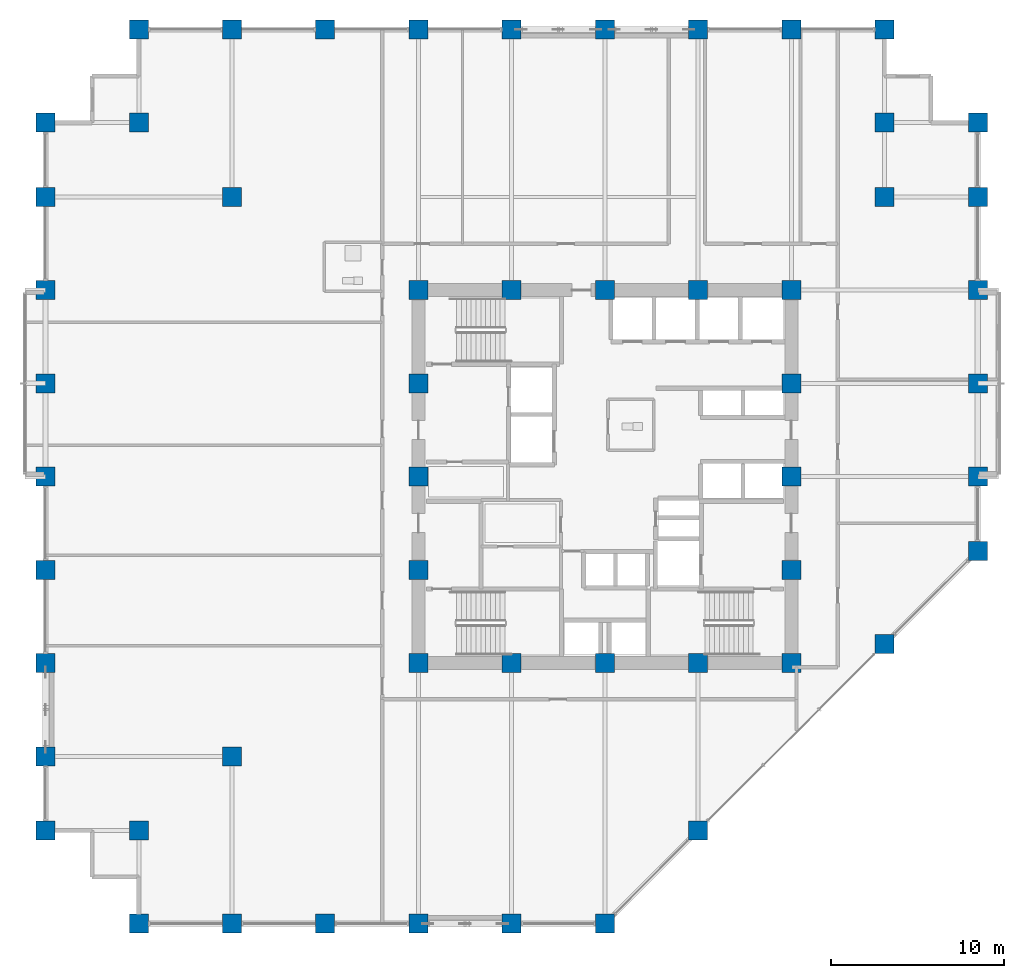
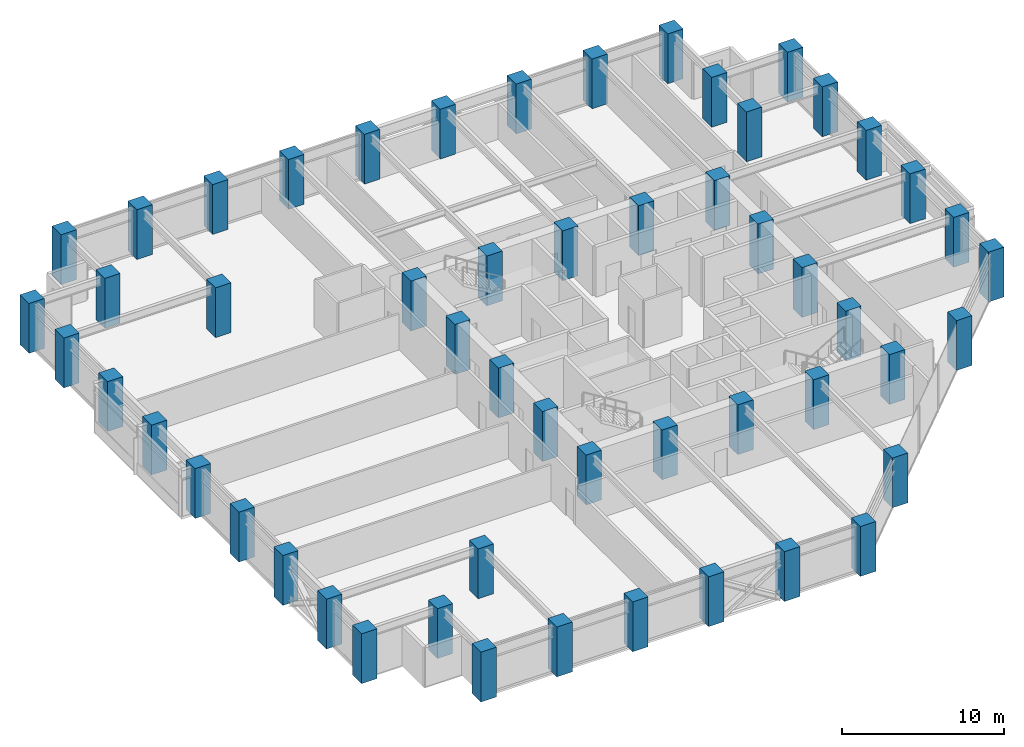
# One storey, part 1 of 25: 54 columns.
"""IFC4 building model written with IfcOpenShell, lengths in metres."""

from ifc_helpers import new_model, si_unit, direction, frame, origin, origin_2d, place, context, subcontext, project, spatial, rectangle, extrude, material, material_profile, profile_set, type_object, element, save


model = new_model("IFC4")

# Units and contexts
model_context = context("Model", 3, precision=1e-05, world=origin(), true_north=direction((0.0, 1.0)))
body_context = subcontext(model_context, "Body", "Model", "MODEL_VIEW")
ifc_project = project(units=[si_unit("LENGTHUNIT", "METRE"), si_unit("AREAUNIT", "SQUARE_METRE"), si_unit("VOLUMEUNIT", "CUBIC_METRE"), si_unit("PLANEANGLEUNIT", "RADIAN"), si_unit("MASSUNIT", "GRAM", prefix="KILO")], contexts=[model_context])

# Site, building, storey
site_placement = place(None, origin())
site = spatial("IfcSite", under=ifc_project, at=site_placement, CompositionType="ELEMENT")
building_placement = place(site_placement, origin())
building = spatial("IfcBuilding", under=site, at=building_placement, Name="Surkhivell Harbour Commons", CompositionType="ELEMENT")
storey_placement = place(building_placement, frame((0.0, 0.0, 98.25)))
storey = spatial("IfcBuildingStorey", under=building, at=storey_placement, Name="L25", CompositionType="ELEMENT", Elevation=98.25)

# Columns
ifc_material = material(Name="Concrete C60/75", Category="concrete")
ifc_material_profile = material_profile(ifc_material, rectangle(XDim=1.10009765625, YDim=1.10009765625, at=origin_2d()), Name="RC-COL-1100x1100")
ifc_profile_set = profile_set([ifc_material_profile], Name="Concrete C60/75")
column_type = type_object("IfcColumnType", Name="COL-TUBE-Z2A", PredefinedType="COLUMN", material=ifc_profile_set)
for number, where, z_axis, x_axis, name in (
    (1, (-32.39990234375, -20.5, 0.0), (0.0, 0.0, 1.0), (1.0, 0.0, 0.0), "L25 Column CT-2A (-32.4,-20.5)"),
    (2, (-32.39990234375, -16.199951171875, 0.0), (0.0, 0.0, 1.0), (1.0, 0.0, 0.0), "L25 Column CT-2A (-32.4,-16.2)"),
    (3, (-32.39990234375, -10.800048828125, 0.0), (0.0, 0.0, 1.0), (1.0, 0.0, 0.0), "L25 Column CT-2A (-32.4,-10.8)"),
    (4, (-32.39990234375, -5.39990234375, 0.0), (0.0, 0.0, 1.0), (1.0, 0.0, 0.0), "L25 Column CT-2A (-32.4,-5.4)"),
    (5, (-32.39990234375, 0.0, 0.0), (0.0, 0.0, 1.0), (1.0, 0.0, 0.0), "L25 Column CT-2A (-32.4,0.0)"),
    (6, (-32.39990234375, 5.39990234375, 0.0), (0.0, 0.0, 1.0), (1.0, 0.0, 0.0), "L25 Column CT-2A (-32.4,5.4)"),
    (7, (-32.39990234375, 10.800048828125, 0.0), (0.0, 0.0, 1.0), (1.0, 0.0, 0.0), "L25 Column CT-2A (-32.4,10.8)"),
    (8, (-32.39990234375, 16.199951171875, 0.0), (0.0, 0.0, 1.0), (1.0, 0.0, 0.0), "L25 Column CT-2A (-32.4,16.2)"),
    (9, (-32.39990234375, 20.5, 0.0), (0.0, 0.0, 1.0), (1.0, 0.0, 0.0), "L25 Column CT-2A (-32.4,20.5)"),
    (10, (-27.0, -25.89990234375, 0.0), (0.0, 0.0, 1.0), (1.0, 0.0, 0.0), "L25 Column CT-2A (-27.0,-25.9)"),
    (11, (-27.0, -20.5, 0.0), (0.0, 0.0, 1.0), (1.0, 0.0, 0.0), "L25 Column CT-2A (-27.0,-20.5)"),
    (12, (-27.0, 20.5, 0.0), (0.0, 0.0, 1.0), (1.0, 0.0, 0.0), "L25 Column CT-2A (-27.0,20.5)"),
    (13, (-27.0, 25.89990234375, 0.0), (0.0, 0.0, 1.0), (1.0, 0.0, 0.0), "L25 Column CT-2A (-27.0,25.9)"),
    (14, (-21.60009765625, -25.89990234375, 0.0), (0.0, 0.0, 1.0), (1.0, 0.0, 0.0), "L25 Column CT-2A (-21.6,-25.9)"),
    (15, (-21.60009765625, -16.199951171875, 0.0), (0.0, 0.0, 1.0), (1.0, 0.0, 0.0), "L25 Column CT-2A (-21.6,-16.2)"),
    (16, (-21.60009765625, 16.199951171875, 0.0), (0.0, 0.0, 1.0), (1.0, 0.0, 0.0), "L25 Column CT-2A (-21.6,16.2)"),
    (17, (-21.60009765625, 25.89990234375, 0.0), (0.0, 0.0, 1.0), (1.0, 0.0, 0.0), "L25 Column CT-2A (-21.6,25.9)"),
    (18, (-16.199951171875, -25.89990234375, 0.0), (0.0, 0.0, 1.0), (1.0, 0.0, 0.0), "L25 Column CT-2A (-16.2,-25.9)"),
    (19, (-16.199951171875, 25.89990234375, 0.0), (0.0, 0.0, 1.0), (1.0, 0.0, 0.0), "L25 Column CT-2A (-16.2,25.9)"),
    (20, (-10.800048828125, -25.89990234375, 0.0), (0.0, 0.0, 1.0), (1.0, 0.0, 0.0), "L25 Column CT-2A (-10.8,-25.9)"),
    (21, (-10.800048828125, -10.800048828125, 0.0), (0.0, 0.0, 1.0), (1.0, 0.0, 0.0), "L25 Column CT-2A (-10.8,-10.8)"),
    (22, (-10.800048828125, -5.39990234375, 0.0), (0.0, 0.0, 1.0), (1.0, 0.0, 0.0), "L25 Column CT-2A (-10.8,-5.4)"),
    (23, (-10.800048828125, 0.0, 0.0), (0.0, 0.0, 1.0), (1.0, 0.0, 0.0), "L25 Column CT-2A (-10.8,0.0)"),
    (24, (-10.800048828125, 5.39990234375, 0.0), (0.0, 0.0, 1.0), (1.0, 0.0, 0.0), "L25 Column CT-2A (-10.8,5.4)"),
    (25, (-10.800048828125, 10.800048828125, 0.0), (0.0, 0.0, 1.0), (1.0, 0.0, 0.0), "L25 Column CT-2A (-10.8,10.8)"),
    (26, (-10.800048828125, 25.89990234375, 0.0), (0.0, 0.0, 1.0), (1.0, 0.0, 0.0), "L25 Column CT-2A (-10.8,25.9)"),
    (27, (-5.39990234375, -25.89990234375, 0.0), (0.0, 0.0, 1.0), (1.0, 0.0, 0.0), "L25 Column CT-2A (-5.4,-25.9)"),
    (28, (-5.39990234375, -10.800048828125, 0.0), (0.0, 0.0, 1.0), (1.0, 0.0, 0.0), "L25 Column CT-2A (-5.4,-10.8)"),
    (29, (-5.39990234375, 10.800048828125, 0.0), (0.0, 0.0, 1.0), (1.0, 0.0, 0.0), "L25 Column CT-2A (-5.4,10.8)"),
    (30, (-5.39990234375, 25.89990234375, 0.0), (0.0, 0.0, 1.0), (1.0, 0.0, 0.0), "L25 Column CT-2A (-5.4,25.9)"),
    (31, (0.0, -25.89990234375, 0.0), (0.0, 0.0, 1.0), (1.0, 0.0, 0.0), "L25 Column CT-2A (-0.0,-25.9)"),
    (32, (0.0, -10.800048828125, 0.0), (0.0, 0.0, 1.0), (1.0, 0.0, 0.0), "L25 Column CT-2A (0.0,-10.8)"),
    (33, (0.0, 10.800048828125, 0.0), (0.0, 0.0, 1.0), (1.0, 0.0, 0.0), "L25 Column CT-2A (0.0,10.8)"),
    (34, (0.0, 25.89990234375, 0.0), (0.0, 0.0, 1.0), (1.0, 0.0, 0.0), "L25 Column CT-2A (-0.0,25.9)"),
    (35, (5.39990234375, -20.5, 0.0), (0.0, 0.0, 1.0), (1.0, 0.0, 0.0), "L25 Column CT-2A (5.4,-20.5)"),
    (36, (5.39990234375, -10.800048828125, 0.0), (0.0, 0.0, 1.0), (1.0, 0.0, 0.0), "L25 Column CT-2A (5.4,-10.8)"),
    (37, (5.39990234375, 10.800048828125, 0.0), (0.0, 0.0, 1.0), (1.0, 0.0, 0.0), "L25 Column CT-2A (5.4,10.8)"),
    (38, (5.39990234375, 25.89990234375, 0.0), (0.0, 0.0, 1.0), (1.0, 0.0, 0.0), "L25 Column CT-2A (5.4,25.9)"),
    (39, (10.800048828125, -10.800048828125, 0.0), (0.0, 0.0, 1.0), (1.0, 0.0, 0.0), "L25 Column CT-2A (10.8,-10.8)"),
    (40, (10.800048828125, -5.39990234375, 0.0), (0.0, 0.0, 1.0), (1.0, 0.0, 0.0), "L25 Column CT-2A (10.8,-5.4)"),
    (41, (10.800048828125, 0.0, 0.0), (0.0, 0.0, 1.0), (1.0, 0.0, 0.0), "L25 Column CT-2A (10.8,0.0)"),
    (42, (10.800048828125, 5.39990234375, 0.0), (0.0, 0.0, 1.0), (1.0, 0.0, 0.0), "L25 Column CT-2A (10.8,5.4)"),
    (43, (10.800048828125, 10.800048828125, 0.0), (0.0, 0.0, 1.0), (1.0, 0.0, 0.0), "L25 Column CT-2A (10.8,10.8)"),
    (44, (10.800048828125, 25.89990234375, 0.0), (0.0, 0.0, 1.0), (1.0, 0.0, 0.0), "L25 Column CT-2A (10.8,25.9)"),
    (45, (16.199951171875, -9.699951171875, 0.0), (0.0, 0.0, 1.0), (1.0, 0.0, 0.0), "L25 Column CT-2A (16.2,-9.7)"),
    (46, (16.199951171875, 16.199951171875, 0.0), (0.0, 0.0, 1.0), (1.0, 0.0, 0.0), "L25 Column CT-2A (16.2,16.2)"),
    (47, (16.199951171875, 20.5, 0.0), (0.0, 0.0, 1.0), (1.0, 0.0, 0.0), "L25 Column CT-2A (16.2,20.5)"),
    (48, (16.199951171875, 25.89990234375, 0.0), (0.0, 0.0, 1.0), (1.0, 0.0, 0.0), "L25 Column CT-2A (16.2,25.9)"),
    (49, (21.60009765625, -4.300048828125, 0.0), (0.0, 0.0, 1.0), (1.0, 0.0, 0.0), "L25 Column CT-2A (21.6,-4.3)"),
    (50, (21.60009765625, 0.0, 0.0), (0.0, 0.0, 1.0), (1.0, 0.0, 0.0), "L25 Column CT-2A (21.6,0.0)"),
    (51, (21.60009765625, 5.39990234375, 0.0), (0.0, 0.0, 1.0), (1.0, 0.0, 0.0), "L25 Column CT-2A (21.6,5.4)"),
    (52, (21.60009765625, 10.800048828125, 0.0), (0.0, 0.0, 1.0), (1.0, 0.0, 0.0), "L25 Column CT-2A (21.6,10.8)"),
    (53, (21.60009765625, 16.199951171875, 0.0), (0.0, 0.0, 1.0), (1.0, 0.0, 0.0), "L25 Column CT-2A (21.6,16.2)"),
    (54, (21.60009765625, 20.5, 0.0), (0.0, 0.0, 1.0), (1.0, 0.0, 0.0), "L25 Column CT-2A (21.6,20.5)"),
):
    element("IfcColumn", number, at=place(storey_placement, frame(where, z_axis=z_axis, x_axis=x_axis)), inside=storey, type_object=column_type, Name=name, PredefinedType="COLUMN", context=body_context, shape_type="SweptSolid", body=[
        extrude(rectangle(XDim=1.10009765625, YDim=1.10009765625, at=origin_2d()), origin(), (0.0, 0.0, 1.0), 3.75),
    ])

save(model, "model.ifc")
